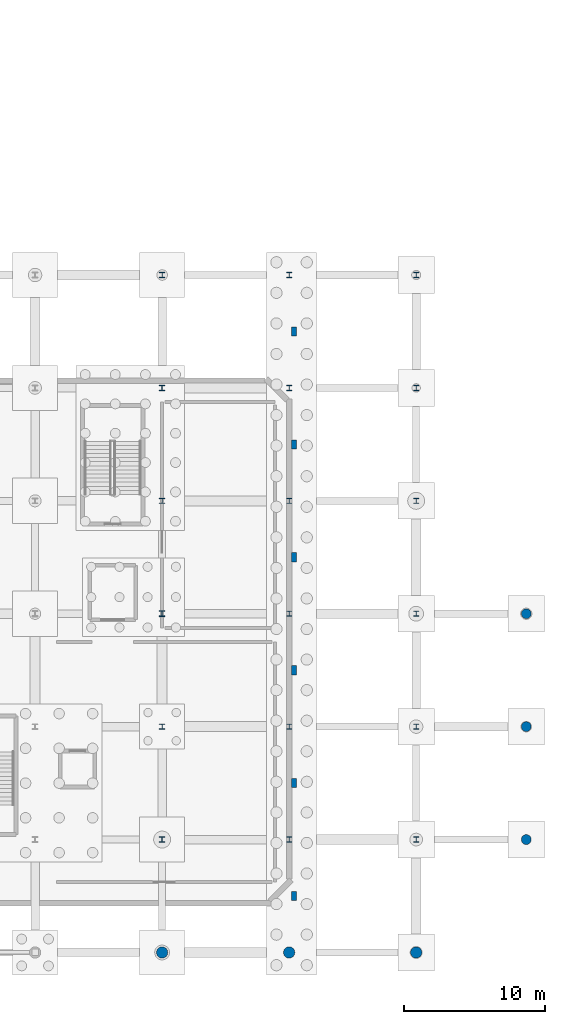
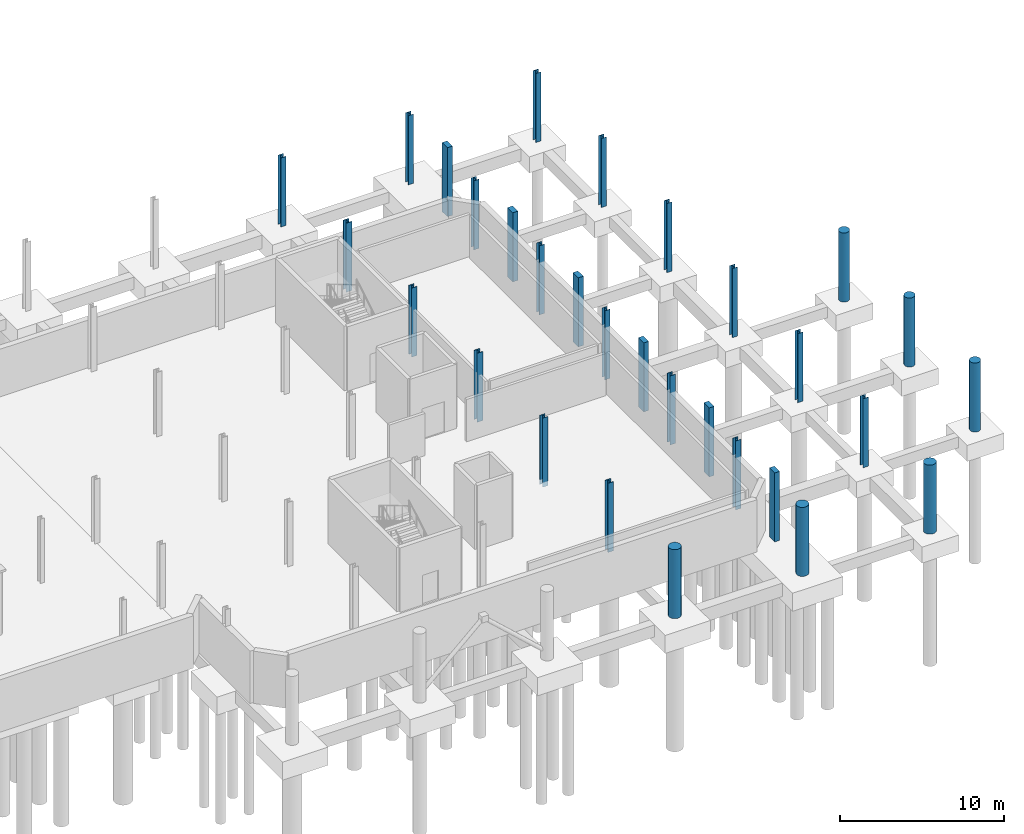
# One storey, part 23 of 37: 30 columns.
"""IFC4 building model written with IfcOpenShell, lengths in metres."""

from ifc_helpers import new_model, si_unit, direction, frame, origin, origin_2d, place, context, subcontext, project, spatial, rectangle, circle, i_section, extrude, material, material_profile, profile_set, type_object, element, save


model = new_model("IFC4")

# Units and contexts
model_context = context("Model", 3, precision=1e-05, world=origin(), true_north=direction((0.0, 1.0)))
body_context = subcontext(model_context, "Body", "Model", "MODEL_VIEW")
ifc_project = project(units=[si_unit("LENGTHUNIT", "METRE"), si_unit("AREAUNIT", "SQUARE_METRE"), si_unit("VOLUMEUNIT", "CUBIC_METRE"), si_unit("PLANEANGLEUNIT", "RADIAN"), si_unit("MASSUNIT", "GRAM", prefix="KILO"), si_unit("THERMODYNAMICTEMPERATUREUNIT", "KELVIN"), si_unit("POWERUNIT", "WATT")], contexts=[model_context])

# Site, building, storey
site_placement = place(None, origin())
site = spatial("IfcSite", under=ifc_project, at=site_placement, CompositionType="ELEMENT")
building_placement = place(site_placement, origin())
building = spatial("IfcBuilding", under=site, at=building_placement, Name="Zelmaris Science Centre", CompositionType="ELEMENT")
storey_placement = place(building_placement, frame((0.0, 0.0, -4.800048828125)))
storey = spatial("IfcBuildingStorey", under=building, at=storey_placement, Name="B1", CompositionType="ELEMENT", Elevation=-4.800048828125)

# Columns
ifc_material_1 = material(Name="Steel ASTM A992 Grade 50", Category="steel")
ifc_material_profile_1 = material_profile(ifc_material_1, i_section(OverallWidth=0.40087890625, OverallDepth=0.39892578125, WebThickness=0.02490234375, FlangeThickness=0.03955078125, FilletRadius=0.014892578125, at=origin_2d()), Name="W14X211")
ifc_profile_set_1 = profile_set([ifc_material_profile_1], Name="Steel ASTM A992 Grade 50")
column_type_1 = type_object("IfcColumnType", Name="Column C-03 W14X211", PredefinedType="COLUMN", material=ifc_profile_set_1)
for number, where, z_axis, x_axis, name in (
    (1, (135.0, 16.0, -0.349853515625), (0.0, 0.0, 1.0), (1.0, 0.0, 0.0), "Column V4-C-135-16 B1"),
    (2, (135.0, 32.0, -0.349853515625), (0.0, 0.0, 1.0), (1.0, 0.0, 0.0), "Column V4-C-135-32 B1"),
    (3, (135.0, 48.0, -0.349853515625), (0.0, 0.0, 1.0), (1.0, 0.0, 0.0), "Column V4-C-135-48 B1"),
):
    element("IfcColumn", number, at=place(storey_placement, frame(where, z_axis=z_axis, x_axis=x_axis)), inside=storey, type_object=column_type_1, Name=name, PredefinedType="COLUMN", context=body_context, shape_type="SweptSolid", body=[
        extrude(i_section(OverallWidth=0.40087890625, OverallDepth=0.39892578125, WebThickness=0.02490234375, FlangeThickness=0.03955078125, FilletRadius=0.014892578125, at=origin_2d()), origin(), (0.0, 0.0, 1.0), 5.14990234375),
    ])
ifc_material_profile_2 = material_profile(ifc_material_1, i_section(OverallWidth=0.373046875, OverallDepth=0.367919921875, WebThickness=0.014892578125, FlangeThickness=0.02392578125, FilletRadius=0.014892578125, at=origin_2d()), Name="W14X120")
ifc_profile_set_2 = profile_set([ifc_material_profile_2], Name="Steel ASTM A992 Grade 50")
column_type_2 = type_object("IfcColumnType", Name="Column C-06 W14X120", PredefinedType="COLUMN", material=ifc_profile_set_2)
for number, where, z_axis, x_axis, name in (
    (4, (135.0, 24.0, -0.349853515625), (0.0, 0.0, 1.0), (1.0, 0.0, 0.0), "Column V4-C-135-24 B1"),
    (5, (135.0, 40.0, -0.349853515625), (0.0, 0.0, 1.0), (1.0, 0.0, 0.0), "Column V4-C-135-40 B1"),
    (6, (135.0, 56.0, -0.349853515625), (0.0, 0.0, 1.0), (1.0, 0.0, 0.0), "Column V4-C-135-56 B1"),
    (7, (144.0, 16.0, -0.349853515625), (0.0, 0.0, 1.0), (1.0, 0.0, 0.0), "Column V4-C-144-16 B1"),
    (8, (144.0, 24.0, -0.349853515625), (0.0, 0.0, 1.0), (1.0, 0.0, 0.0), "Column V4-C-144-24 B1"),
    (9, (144.0, 32.0, -0.349853515625), (0.0, 0.0, 1.0), (1.0, 0.0, 0.0), "Column V4-C-144-32 B1"),
    (10, (144.0, 40.0, -0.349853515625), (0.0, 0.0, 1.0), (1.0, 0.0, 0.0), "Column V4-C-144-40 B1"),
    (11, (144.0, 48.0, -0.349853515625), (0.0, 0.0, 1.0), (1.0, 0.0, 0.0), "Column V4-C-144-48 B1"),
    (12, (144.0, 56.0, -0.349853515625), (0.0, 0.0, 1.0), (1.0, 0.0, 0.0), "Column V4-C-144-56 B1"),
    (13, (153.0, 16.0, -0.349853515625), (0.0, 0.0, 1.0), (1.0, 0.0, 0.0), "Column V4-C-153-16 B1"),
    (14, (153.0, 24.0, -0.349853515625), (0.0, 0.0, 1.0), (1.0, 0.0, 0.0), "Column V4-C-153-24 B1"),
    (15, (153.0, 32.0, -0.349853515625), (0.0, 0.0, 1.0), (1.0, 0.0, 0.0), "Column V4-C-153-32 B1"),
    (16, (153.0, 40.0, -0.349853515625), (0.0, 0.0, 1.0), (1.0, 0.0, 0.0), "Column V4-C-153-40 B1"),
    (17, (153.0, 48.0, -0.349853515625), (0.0, 0.0, 1.0), (1.0, 0.0, 0.0), "Column V4-C-153-48 B1"),
    (18, (153.0, 56.0, -0.349853515625), (0.0, 0.0, 1.0), (1.0, 0.0, 0.0), "Column V4-C-153-56 B1"),
):
    element("IfcColumn", number, at=place(storey_placement, frame(where, z_axis=z_axis, x_axis=x_axis)), inside=storey, type_object=column_type_2, Name=name, PredefinedType="COLUMN", context=body_context, shape_type="SweptSolid", body=[
        extrude(i_section(OverallWidth=0.373046875, OverallDepth=0.367919921875, WebThickness=0.014892578125, FlangeThickness=0.02392578125, FilletRadius=0.014892578125, at=origin_2d()), origin(), (0.0, 0.0, 1.0), 5.14990234375),
    ])
ifc_material_2 = material(Name="Yucatan limestone ashlar masonry", Category="masonry")
ifc_material_profile_3 = material_profile(ifc_material_2, circle(Radius=0.39990234375, at=origin_2d()), Name="COL-LIM-D800")
ifc_profile_set_3 = profile_set([ifc_material_profile_3], Name="Yucatan limestone ashlar masonry")
column_type_3 = type_object("IfcColumnType", Name="Column C-17 COL-LIM-D800", PredefinedType="COLUMN", material=ifc_profile_set_3)
for number, where, z_axis, x_axis, name in (
    (19, (135.0, 8.0, -0.349853515625), (0.0, 0.0, 1.0), (1.0, 0.0, 0.0), "Column V4-C-135-8 B1"),
    (20, (144.0, 8.0, -0.349853515625), (0.0, 0.0, 1.0), (1.0, 0.0, 0.0), "Column V4-C-144-8 B1"),
    (21, (153.0, 8.0, -0.349853515625), (0.0, 0.0, 1.0), (1.0, 0.0, 0.0), "Column V4-C-153-8 B1"),
):
    element("IfcColumn", number, at=place(storey_placement, frame(where, z_axis=z_axis, x_axis=x_axis)), inside=storey, type_object=column_type_3, Name=name, PredefinedType="COLUMN", context=body_context, shape_type="SweptSolid", body=[
        extrude(circle(Radius=0.39990234375, at=origin_2d()), origin(), (0.0, 0.0, 1.0), 5.14990234375),
    ])
ifc_material_profile_4 = material_profile(ifc_material_2, circle(Radius=0.35009765625, at=origin_2d()), Name="COL-LIM-D700")
ifc_profile_set_4 = profile_set([ifc_material_profile_4], Name="Yucatan limestone ashlar masonry")
column_type_4 = type_object("IfcColumnType", Name="Column C-18 COL-LIM-D700", PredefinedType="COLUMN", material=ifc_profile_set_4)
for number, where, z_axis, x_axis, name in (
    (22, (160.800048828125, 16.0, -0.349853515625), (0.0, 0.0, 1.0), (1.0, 0.0, 0.0), "Column V4-EC-16 B1"),
    (23, (160.800048828125, 24.0, -0.349853515625), (0.0, 0.0, 1.0), (1.0, 0.0, 0.0), "Column V4-EC-24 B1"),
    (24, (160.800048828125, 32.0, -0.349853515625), (0.0, 0.0, 1.0), (1.0, 0.0, 0.0), "Column V4-EC-32 B1"),
):
    element("IfcColumn", number, at=place(storey_placement, frame(where, z_axis=z_axis, x_axis=x_axis)), inside=storey, type_object=column_type_4, Name=name, PredefinedType="COLUMN", context=body_context, shape_type="SweptSolid", body=[
        extrude(circle(Radius=0.35009765625, at=origin_2d()), origin(), (0.0, 0.0, 1.0), 5.14990234375),
    ])
ifc_material_profile_5 = material_profile(ifc_material_2, rectangle(XDim=0.64990234375, YDim=0.35009765625, at=origin_2d()), Name="PIL-LIM-650X350")
ifc_profile_set_5 = profile_set([ifc_material_profile_5], Name="Yucatan limestone ashlar masonry")
column_type_5 = type_object("IfcColumnType", Name="Pilaster PL-02 PIL-LIM-650X350", PredefinedType="PILASTER", material=ifc_profile_set_5)
for number, where, z_axis, x_axis, name in (
    (25, (144.35009765625, 12.0, -0.349853515625), (0.0, 0.0, 1.0), (0.0, 1.0, 0.0), "Limestone pilaster PIL-V4E-1 B1"),
    (26, (144.35009765625, 20.0, -0.349853515625), (0.0, 0.0, 1.0), (0.0, 1.0, 0.0), "Limestone pilaster PIL-V4E-2 B1"),
    (27, (144.35009765625, 28.0, -0.349853515625), (0.0, 0.0, 1.0), (0.0, 1.0, 0.0), "Limestone pilaster PIL-V4E-3 B1"),
    (28, (144.35009765625, 36.0, -0.349853515625), (0.0, 0.0, 1.0), (0.0, 1.0, 0.0), "Limestone pilaster PIL-V4E-4 B1"),
    (29, (144.35009765625, 44.0, -0.349853515625), (0.0, 0.0, 1.0), (0.0, 1.0, 0.0), "Limestone pilaster PIL-V4E-5 B1"),
    (30, (144.35009765625, 52.0, -0.349853515625), (0.0, 0.0, 1.0), (0.0, 1.0, 0.0), "Limestone pilaster PIL-V4E-6 B1"),
):
    element("IfcColumn", number, at=place(storey_placement, frame(where, z_axis=z_axis, x_axis=x_axis)), inside=storey, type_object=column_type_5, Name=name, PredefinedType="PILASTER", context=body_context, shape_type="SweptSolid", body=[
        extrude(rectangle(XDim=0.64990234375, YDim=0.35009765625, at=origin_2d()), origin(), (0.0, 0.0, 1.0), 5.14990234375),
    ])

save(model, "model.ifc")
